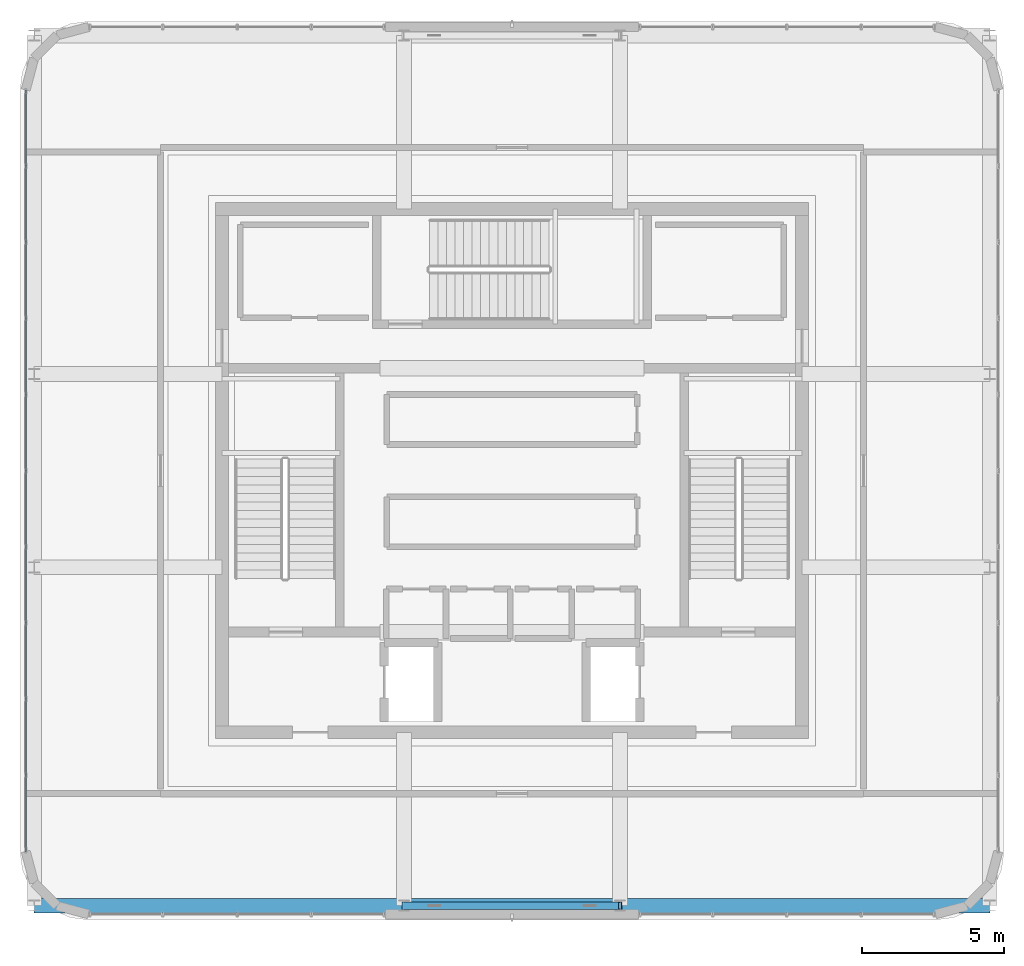
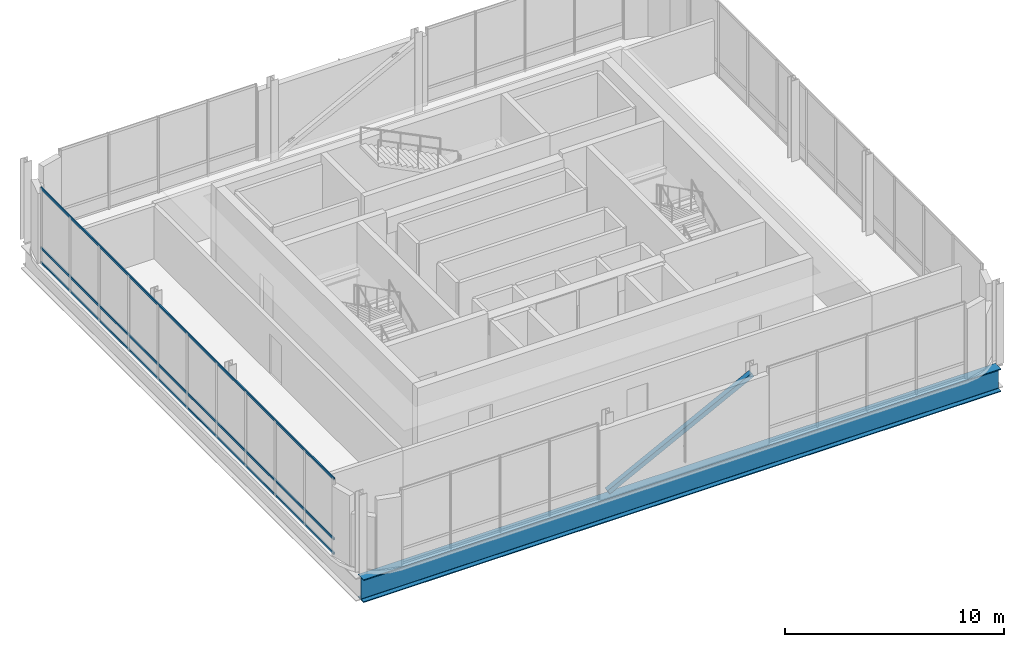
# One storey, part 6 of 25: 4 members, 1 beam, 1 element without a shape of its own.
"""IFC4 building model written with IfcOpenShell, lengths in metres."""

from ifc_helpers import new_model, si_unit, direction, frame, origin, origin_2d, place, context, subcontext, project, spatial, hollow_rectangle, i_section, extrude, material, material_profile, profile_set, type_object, element, aggregate, save


model = new_model("IFC4")

# Units and contexts
model_context = context("Model", 3, precision=1e-05, world=origin(), true_north=direction((0.0, 1.0)))
body_context = subcontext(model_context, "Body", "Model", "MODEL_VIEW")
ifc_project = project(units=[si_unit("LENGTHUNIT", "METRE"), si_unit("AREAUNIT", "SQUARE_METRE"), si_unit("VOLUMEUNIT", "CUBIC_METRE"), si_unit("PLANEANGLEUNIT", "RADIAN"), si_unit("MASSUNIT", "GRAM", prefix="KILO")], contexts=[model_context])

# Site, building, storey
site_placement = place(None, origin())
site = spatial("IfcSite", under=ifc_project, at=site_placement, CompositionType="ELEMENT")
building_placement = place(site_placement, origin())
building = spatial("IfcBuilding", under=site, at=building_placement, Name="Punatoya Terracotta Tower", CompositionType="ELEMENT")
storey_placement = place(building_placement, frame((0.0, 0.0, 357.300048828125)))
storey = spatial("IfcBuildingStorey", under=building, at=storey_placement, Name="L84", CompositionType="ELEMENT", Elevation=357.300048828125)

# Beam
ifc_material_1 = material(Name="Steel S460", Category="steel")
ifc_material_profile_1 = material_profile(ifc_material_1, i_section(OverallWidth=0.52001953125, OverallDepth=1.280029296875, WebThickness=0.031982421875, FlangeThickness=0.050048828125, FilletRadius=0.01806640625, at=origin_2d()))
ifc_profile_set_1 = profile_set([ifc_material_profile_1], Name="Steel S460")
beam_type = type_object("IfcBeamType", Name="BM-TG-NCK", PredefinedType="BEAM", material=ifc_profile_set_1)
beam_placement = place(storey_placement, frame((-16.800048828125, -15.300048828125, -0.860107421875), z_axis=(1.0, 0.0, 0.0), x_axis=(0.0, 1.0, 0.0)))
element("IfcBeam", 1, at=beam_placement, inside=storey, type_object=beam_type, Name="BM-L84-RS", PredefinedType="BEAM", context=body_context, shape_type="SweptSolid", body=[
    extrude(i_section(OverallWidth=0.52001953125, OverallDepth=1.280029296875, WebThickness=0.031982421875, FlangeThickness=0.050048828125, FilletRadius=0.01806640625, at=origin_2d()), origin(), (0.0, 0.0, 1.0), 33.60009765625),
])

# Curtain wall, members
ifc_material_2 = material(Name="Aluminium 6063-T6 + Double Low-E Glass", Category="aluminium")
curtain_wall_type = type_object("IfcCurtainWallType", Name="CW-CRN", PredefinedType="NOTDEFINED", material=ifc_material_2)
curtain_wall_placement = place(storey_placement, origin())
curtain_wall = element("IfcCurtainWall", 2, at=curtain_wall_placement, inside=storey, type_object=curtain_wall_type, Name="L84 Curtain Wall CW-L84-W13-1", PredefinedType="NOTDEFINED")
ifc_material_3 = material(Name="Aluminium 6063-T6", Category="aluminium")
ifc_material_profile_2 = material_profile(ifc_material_3, hollow_rectangle(XDim=0.06201171875, YDim=0.135009765625, WallThickness=0.00390625, at=origin_2d()))
ifc_profile_set_2 = profile_set([ifc_material_profile_2], Name="Aluminium 6063-T6")
member_type_1 = type_object("IfcMemberType", Name="CW-TRN-CRN", PredefinedType="USERDEFINED", material=ifc_profile_set_2)
member_1_placement = place(storey_placement, frame((-17.10009765625, 13.386962890625, 0.0400390625), z_axis=(0.0, -1.0, 0.0), x_axis=(1.0, 0.0, 0.0)))
member_1 = element("IfcMember", 3, at=member_1_placement, type_object=member_type_1, Name="CW-L84-W13-1 Transom 1", ObjectType="TRANSOM", PredefinedType="USERDEFINED", context=body_context, shape_type="SweptSolid", body=[
    extrude(hollow_rectangle(XDim=0.06201171875, YDim=0.135009765625, WallThickness=0.00390625, at=origin_2d()), origin(), (0.0, 0.0, 1.0), 26.77392578125),
])
member_2_placement = place(storey_placement, frame((-17.10009765625, 13.386962890625, 0.849853515625), z_axis=(0.0, -1.0, 0.0), x_axis=(1.0, 0.0, 0.0)))
member_2 = element("IfcMember", 4, at=member_2_placement, type_object=member_type_1, Name="CW-L84-W13-1 Transom 2", ObjectType="TRANSOM", PredefinedType="USERDEFINED", context=body_context, shape_type="SweptSolid", body=[
    extrude(hollow_rectangle(XDim=0.06201171875, YDim=0.135009765625, WallThickness=0.00390625, at=origin_2d()), origin(), (0.0, 0.0, 1.0), 26.77392578125),
])
member_3_placement = place(storey_placement, frame((-17.10009765625, 13.386962890625, 4.179931640625), z_axis=(0.0, -1.0, 0.0), x_axis=(1.0, 0.0, 0.0)))
member_3 = element("IfcMember", 5, at=member_3_placement, type_object=member_type_1, Name="CW-L84-W13-1 Transom 3", ObjectType="TRANSOM", PredefinedType="USERDEFINED", context=body_context, shape_type="SweptSolid", body=[
    extrude(hollow_rectangle(XDim=0.06201171875, YDim=0.135009765625, WallThickness=0.00390625, at=origin_2d()), origin(), (0.0, 0.0, 1.0), 26.77392578125),
])
aggregate(curtain_wall, [member_1, member_2, member_3])

# Member
ifc_material_4 = material(Name="Steel S355", Category="steel")
ifc_material_profile_3 = material_profile(ifc_material_4, hollow_rectangle(XDim=0.260009765625, YDim=0.260009765625, WallThickness=0.013916015625, at=origin_2d()))
ifc_profile_set_3 = profile_set([ifc_material_profile_3], Name="Steel S355")
member_type_2 = type_object("IfcMemberType", Name="MEM-CRN-260", PredefinedType="BRACE", material=ifc_profile_set_3)
member_4_placement = place(storey_placement, frame((-3.800048828125, -15.300048828125, 0.02001953125), z_axis=(0.889702578103, 0.0, 0.456540603361), x_axis=(0.0, 1.0, 0.0)))
element("IfcMember", 6, at=member_4_placement, inside=storey, type_object=member_type_2, Name="L84 Crown Frame Wind Brace S", PredefinedType="BRACE", context=body_context, shape_type="SweptSolid", body=[
    extrude(hollow_rectangle(XDim=0.260009765625, YDim=0.260009765625, WallThickness=0.013916015625, at=origin_2d()), origin(), (0.0, 0.0, 1.0), 8.542236328125),
])

save(model, "model.ifc")
